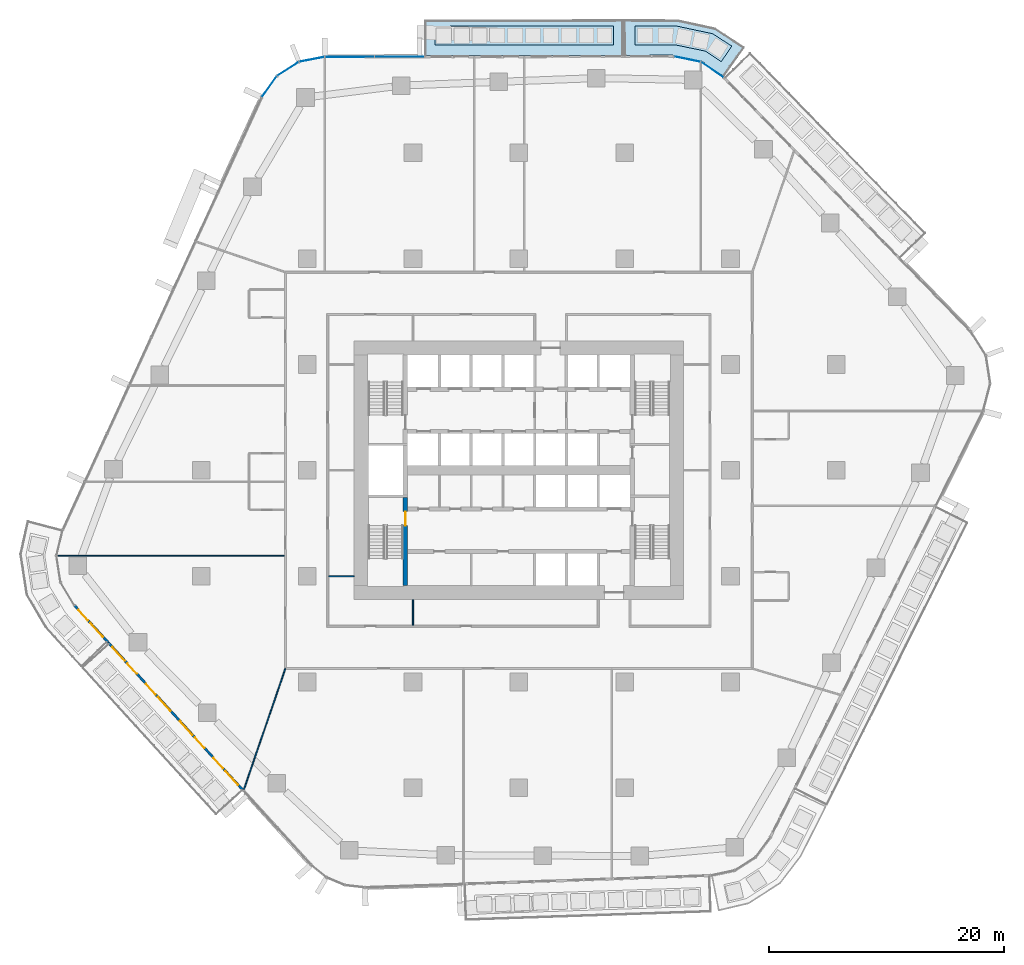
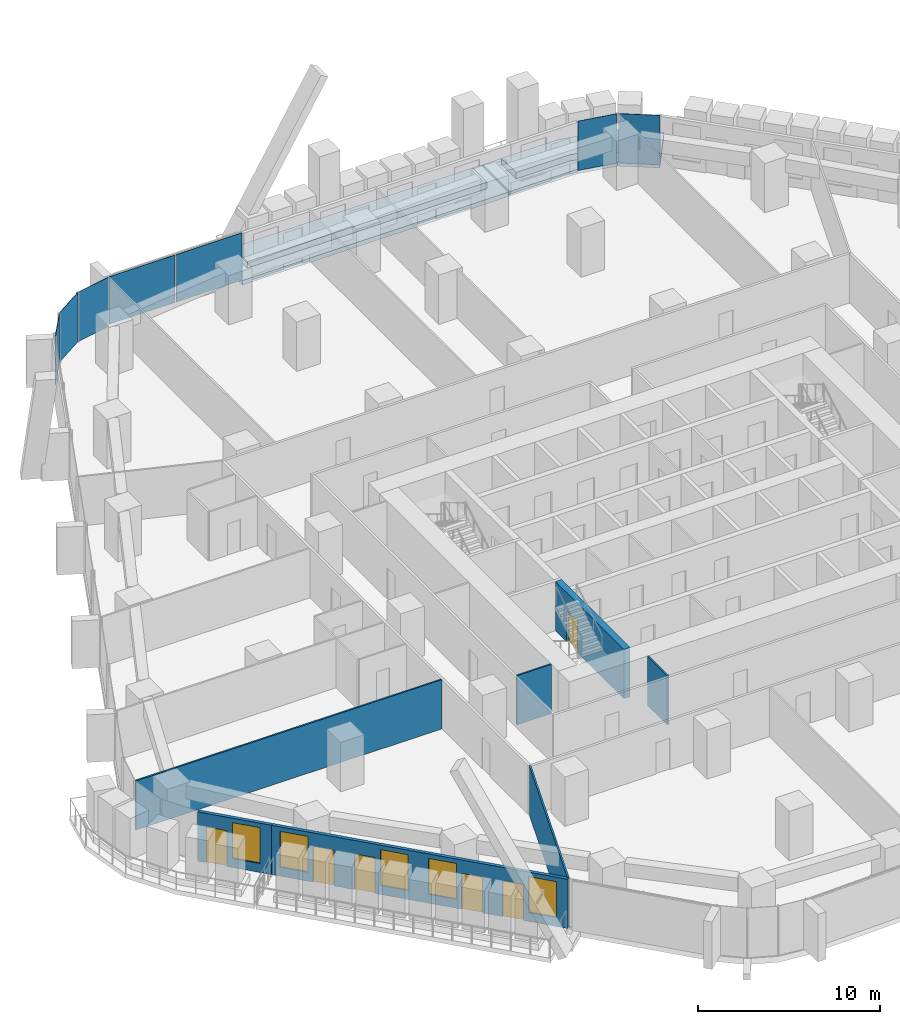
# One storey, part 12 of 26: 7 plates, 7 walls, 6 doors, 5 windows, 4 slabs, 11 openings, 3 elements without a shape of their own.
"""IFC4 building model written with IfcOpenShell, lengths in metres."""

from ifc_helpers import new_model, si_unit, direction, frame, frame_2d, origin, origin_2d, place, context, subcontext, project, spatial, polyline, rectangle, outline, extrude, material, layer, layer_set, type_object, element, fill, aggregate, save


model = new_model("IFC4")

# Units and contexts
model_context = context("Model", 3, precision=1e-05, world=origin(), true_north=direction((0.0, 1.0)))
body_context = subcontext(model_context, "Body", "Model", "MODEL_VIEW")
ifc_project = project(units=[si_unit("LENGTHUNIT", "METRE"), si_unit("AREAUNIT", "SQUARE_METRE"), si_unit("VOLUMEUNIT", "CUBIC_METRE"), si_unit("PLANEANGLEUNIT", "RADIAN"), si_unit("MASSUNIT", "GRAM", prefix="KILO")], contexts=[model_context])

# Site, building, storey
site_placement = place(None, origin())
site = spatial("IfcSite", under=ifc_project, at=site_placement, CompositionType="ELEMENT")
building_placement = place(site_placement, origin())
building = spatial("IfcBuilding", under=site, at=building_placement, Name="Dongbaek Canopy Tower", CompositionType="ELEMENT")
storey_placement = place(building_placement, frame((0.0, 0.0, 73.60009765625)))
storey = spatial("IfcBuildingStorey", under=building, at=storey_placement, Name="L14", CompositionType="ELEMENT", Elevation=73.60009765625)

# Slabs
ifc_material_1 = material(Name="Concrete C40/50", Category="concrete")
ifc_layer_1 = layer(ifc_material_1, 0.300048828125)
ifc_layer_set_1 = layer_set([ifc_layer_1], Name="Balcony slab 300")
slab_type_1 = type_object("IfcSlabType", Name="Balcony slab 300", PredefinedType="FLOOR", material=ifc_layer_set_1)
slab_1_placement = place(storey_placement, frame((0.0, 0.0, -0.300048828125)))
element("IfcSlab", 1, at=slab_1_placement, inside=storey, type_object=slab_type_1, Name="Balcony L14 2", PredefinedType="FLOOR", context=body_context, shape_type="SweptSolid", body=[
    extrude(outline(polyline([(8.88427734375, 35.28955078125), (-7.980224609375, 35.265380859375), (-7.984619140625, 38.265380859375), (8.8798828125, 38.28955078125), (8.88427734375, 35.28955078125)])), origin(), (0.0, 0.0, 1.0), 0.300048828125),
])
slab_2_placement = place(storey_placement, frame((0.0, 0.0, -0.300048828125)))
element("IfcSlab", 2, at=slab_2_placement, inside=storey, type_object=slab_type_1, Name="Balcony L14 6", PredefinedType="FLOOR", context=body_context, shape_type="SweptSolid", body=[
    extrude(outline(polyline([(17.44580078125, 33.50537109375), (15.515869140625, 34.823974609375), (13.17529296875, 35.295654296875), (8.984130859375, 35.289794921875), (8.97998046875, 38.289794921875), (13.470947265625, 38.28125), (16.681640625, 37.588134765625), (19.138427734375, 35.982177734375), (17.44580078125, 33.50537109375)])), origin(), (0.0, 0.0, 1.0), 0.300048828125),
])

# Curtain wall, plates
ifc_material_2 = material(Name="Aluminium 6063-T6 pale anodised", Category="aluminium")
ifc_layer_2 = layer(ifc_material_2, 0.199951171875)
ifc_layer_set_2 = layer_set([ifc_layer_2], Name="CW-1 unitised tower curtain wall")
curtain_wall_type = type_object("IfcCurtainWallType", Name="CW-1 unitised tower curtain wall", PredefinedType="NOTDEFINED", material=ifc_layer_set_2)
curtain_wall_1_placement = place(storey_placement, origin())
curtain_wall_1 = element("IfcCurtainWall", 3, at=curtain_wall_1_placement, inside=storey, type_object=curtain_wall_type, Name="CW-1 curtain wall K1.1", PredefinedType="NOTDEFINED")
ifc_material_3 = material(Name="Clear laminated glass", Category="glass")
ifc_layer_3 = layer(ifc_material_3, 0.028076171875)
ifc_layer_set_3 = layer_set([ifc_layer_3], Name="CW-1 glazed panel 28")
plate_type = type_object("IfcPlateType", Name="CW-1 glazed panel 28", PredefinedType="CURTAIN_PANEL", material=ifc_layer_set_3)
plate_1_placement = place(storey_placement, frame((16.44921875, 34.065185546875, 0.0), z_axis=(0.0, 0.0, 1.0), x_axis=(-0.825641209577, 0.564195527321, 0.0)))
plate_1 = element("IfcPlate", 4, at=plate_1_placement, type_object=plate_type, Name="CW-1 panel K1.1.1.1", PredefinedType="CURTAIN_PANEL", context=body_context, shape_type="SweptSolid", body=[
    extrude(rectangle(XDim=2.273193359375, YDim=0.028076171875, at=origin_2d()), origin(), (0.0, 0.0, 1.0), 3.300048828125),
])
plate_2_placement = place(storey_placement, frame((14.32080078125, 34.962890625, 0.0), z_axis=(0.0, 0.0, 1.0), x_axis=(-0.980291764832, 0.19755519685, 0.0)))
plate_2 = element("IfcPlate", 5, at=plate_2_placement, type_object=plate_type, Name="CW-1 panel K1.1.2.1", PredefinedType="CURTAIN_PANEL", context=body_context, shape_type="SweptSolid", body=[
    extrude(rectangle(XDim=2.273193359375, YDim=0.028076171875, at=origin_2d()), origin(), (0.0, 0.0, 1.0), 3.300048828125),
])
aggregate(curtain_wall_1, [plate_1, plate_2])

curtain_wall_2_placement = place(storey_placement, origin())
curtain_wall_2 = element("IfcCurtainWall", 6, at=curtain_wall_2_placement, inside=storey, type_object=curtain_wall_type, Name="CW-1 curtain wall F1.1", PredefinedType="NOTDEFINED")
plate_3_placement = place(storey_placement, frame((-10.150634765625, 35.162353515625, 0.1201171875), z_axis=(0.0, 0.0, 1.0), x_axis=(-0.999998971422, -0.00143427852, 0.0)))
plate_3 = element("IfcPlate", 7, at=plate_3_placement, type_object=plate_type, Name="CW-1 panel F1.1.1.1", PredefinedType="CURTAIN_PANEL", context=body_context, shape_type="SweptSolid", body=[
    extrude(rectangle(XDim=4.1572265625, YDim=0.028076171875, at=origin_2d()), origin(), (0.0, 0.0, 1.0), 3.179931640625),
])
plate_4_placement = place(storey_placement, frame((-14.386962890625, 35.15625, 0.1201171875), z_axis=(0.0, 0.0, 1.0), x_axis=(-0.999998971422, -0.00143427852, 0.0)))
plate_4 = element("IfcPlate", 8, at=plate_4_placement, type_object=plate_type, Name="CW-1 panel F1.1.2.1", PredefinedType="CURTAIN_PANEL", context=body_context, shape_type="SweptSolid", body=[
    extrude(rectangle(XDim=4.147705078125, YDim=0.028076171875, at=origin_2d()), origin(), (0.0, 0.0, 1.0), 3.179931640625),
])
aggregate(curtain_wall_2, [plate_3, plate_4])

curtain_wall_3_placement = place(storey_placement, origin())
curtain_wall_3 = element("IfcCurtainWall", 9, at=curtain_wall_3_placement, inside=storey, type_object=curtain_wall_type, Name="CW-1 curtain wall K2.1", PredefinedType="NOTDEFINED")
plate_5_placement = place(storey_placement, frame((-17.599365234375, 34.94091796875, 0.0), z_axis=(0.0, 0.0, 1.0), x_axis=(-0.981792795313, -0.189955013284, 0.0)))
plate_5 = element("IfcPlate", 10, at=plate_5_placement, type_object=plate_type, Name="CW-1 panel K2.1.1.1", PredefinedType="CURTAIN_PANEL", context=body_context, shape_type="SweptSolid", body=[
    extrude(rectangle(XDim=2.14990234375, YDim=0.028076171875, at=origin_2d()), origin(), (0.0, 0.0, 1.0), 3.300048828125),
])
plate_6_placement = place(storey_placement, frame((-19.632080078125, 34.128173828125, 0.0), z_axis=(0.0, 0.0, 1.0), x_axis=(-0.84164162905, -0.540036450853, 0.0)))
plate_6 = element("IfcPlate", 11, at=plate_6_placement, type_object=plate_type, Name="CW-1 panel K2.1.2.1", PredefinedType="CURTAIN_PANEL", context=body_context, shape_type="SweptSolid", body=[
    extrude(rectangle(XDim=2.14013671875, YDim=0.028076171875, at=origin_2d()), origin(), (0.0, 0.0, 1.0), 3.300048828125),
])
plate_7_placement = place(storey_placement, frame((-21.2177734375, 32.619384765625, 0.0), z_axis=(0.0, 0.0, 1.0), x_axis=(-0.581809559836, -0.813325049463, 0.0)))
plate_7 = element("IfcPlate", 12, at=plate_7_placement, type_object=plate_type, Name="CW-1 panel K2.1.3.1", PredefinedType="CURTAIN_PANEL", context=body_context, shape_type="SweptSolid", body=[
    extrude(rectangle(XDim=2.14990234375, YDim=0.028076171875, at=origin_2d()), origin(), (0.0, 0.0, 1.0), 3.300048828125),
])
aggregate(curtain_wall_3, [plate_5, plate_6, plate_7])

# Slabs
ifc_material_4 = material(Name="Reinforced concrete C40/50 planter box with soil", Category="concrete")
ifc_layer_4 = layer(ifc_material_4, 0.419921875)
ifc_layer_set_4 = layer_set([ifc_layer_4], Name="Terrace planter box 1600 x 420")
slab_type_2 = type_object("IfcSlabType", Name="Terrace planter box 1600 x 420", PredefinedType="USERDEFINED", material=ifc_layer_set_4)
slab_3_placement = place(storey_placement, origin())
element("IfcSlab", 13, at=slab_3_placement, inside=storey, type_object=slab_type_2, Name="Balcony planter L14 2", ObjectType="PLANTER", PredefinedType="USERDEFINED", context=body_context, shape_type="SweptSolid", body=[
    extrude(outline(polyline([(8.032958984375, 36.178466796875), (-7.131591796875, 36.15673828125), (-7.1337890625, 37.756591796875), (8.03076171875, 37.7783203125), (8.032958984375, 36.178466796875)])), origin(), (0.0, 0.0, 1.0), 0.419921875),
])
slab_4_placement = place(storey_placement, origin())
element("IfcSlab", 14, at=slab_4_placement, inside=storey, type_object=slab_type_2, Name="Balcony planter L14 6", ObjectType="PLANTER", PredefinedType="USERDEFINED", context=body_context, shape_type="SweptSolid", body=[
    extrude(outline(polyline([(17.204833984375, 34.747802734375), (15.86181640625, 35.64404296875), (13.262939453125, 36.181396484375), (9.883056640625, 36.18115234375), (9.880615234375, 37.781005859375), (13.420654296875, 37.773681640625), (16.483642578125, 37.118408203125), (18.107666015625, 36.06884765625), (17.204833984375, 34.747802734375)])), origin(), (0.0, 0.0, 1.0), 0.419921875),
])

# Walls
ifc_material_5 = material(Name="Gypsum board partition, steel stud, 2 x 12.5 mm board", Category="steel")
ifc_layer_5 = layer(ifc_material_5, 0.10009765625)
ifc_layer_set_5 = layer_set([ifc_layer_5], Name="Partition 100 gypsum board")
wall_type_1 = type_object("IfcWallType", Name="Partition 100 gypsum board", PredefinedType="PARTITIONING", material=ifc_layer_set_5)
wall_1_placement = place(storey_placement, frame((-16.175048828125, -9.0, 0.0), z_axis=(0.0, 0.0, 1.0), x_axis=(1.0, 0.0, 0.0)))
element("IfcWall", 15, at=wall_1_placement, inside=storey, type_object=wall_type_1, Name="Partition", PredefinedType="PARTITIONING", context=body_context, shape_type="SweptSolid", body=[
    extrude(rectangle(XDim=2.175048828125, YDim=0.10009765625, at=frame_2d((1.08740234375, 0.0))), origin(), (0.0, 0.0, 1.0), 3.2998046875),
])
wall_2_placement = place(storey_placement, frame((-39.29345703125, -7.26904296875, 0.0), z_axis=(0.0, 0.0, 1.0), x_axis=(1.0, 0.0, 0.0)))
element("IfcWall", 16, at=wall_2_placement, inside=storey, type_object=wall_type_1, Name="Partition", PredefinedType="PARTITIONING", context=body_context, shape_type="SweptSolid", body=[
    extrude(rectangle(XDim=19.368408203125, YDim=0.10009765625, at=frame_2d((9.68408203125, 0.0))), origin(), (0.0, 0.0, 1.0), 3.2998046875),
])
wall_3_placement = place(storey_placement, frame((-23.40380859375, -27.212646484375, 0.0), z_axis=(0.0, 0.0, 1.0), x_axis=(0.32441263541, 0.945915663253, 0.0)))
element("IfcWall", 17, at=wall_3_placement, inside=storey, type_object=wall_type_1, Name="Partition", PredefinedType="PARTITIONING", context=body_context, shape_type="SweptSolid", body=[
    extrude(rectangle(XDim=10.955078125, YDim=0.10009765625, at=frame_2d((5.4775390625, 0.0))), origin(), (0.0, 0.0, 1.0), 3.2998046875),
])
wall_4_placement = place(storey_placement, frame((-9.0, -13.175048828125, 0.0), z_axis=(0.0, 0.0, 1.0), x_axis=(0.0, 1.0, 0.0)))
element("IfcWall", 18, at=wall_4_placement, inside=storey, type_object=wall_type_1, Name="Partition", PredefinedType="PARTITIONING", context=body_context, shape_type="SweptSolid", body=[
    extrude(rectangle(XDim=2.175048828125, YDim=0.10009765625, at=frame_2d((1.08740234375, 0.0))), origin(), (0.0, 0.0, 1.0), 3.2998046875),
])

# Wall, opening, door
ifc_material_6 = material(Name="Concrete C60/75", Category="concrete")
ifc_layer_6 = layer(ifc_material_6, 0.39990234375)
ifc_layer_set_6 = layer_set([ifc_layer_6], Name="Stair wall 400 Concrete C60/75")
wall_type_2 = type_object("IfcWallType", Name="Stair wall 400 Concrete C60/75", PredefinedType="SHEAR", material=ifc_layer_set_6)
wall_5_placement = place(storey_placement, frame((-9.64990234375, -9.800048828125, 0.0), z_axis=(0.0, 0.0, 1.0), x_axis=(0.0, 1.0, 0.0)))
wall_5 = element("IfcWall", 19, at=wall_5_placement, inside=storey, type_object=wall_type_2, Name="Stair wall", PredefinedType="SHEAR", context=body_context, shape_type="SweptSolid", body=[
    extrude(rectangle(XDim=7.5, YDim=0.39990234375, at=frame_2d((3.75, 0.0))), origin(), (0.0, 0.0, 1.0), 3.2998046875),
])
opening_1_placement = place(wall_5_placement, frame((5.10009765625, 0.0, 0.0)))
opening_1 = element("IfcOpeningElement", 20, at=opening_1_placement, cuts=wall_5, Name="Opening L14-D055", PredefinedType="OPENING", context=body_context, shape_type="SweptSolid", body=[
    extrude(rectangle(XDim=1.199951171875, YDim=2.10009765625, at=frame_2d((0.60009765625, 1.050048828125))), frame((0.0, 0.2099609375, 0.0), z_axis=(0.0, -1.0, 0.0), x_axis=(1.0, 0.0, 0.0)), (0.0, 0.0, 1.0), 0.419921875),
])
ifc_material_7 = material(Name="Steel", Category="steel")
door_type_1 = type_object("IfcDoorType", Name="Stair door 1200 x 2100", OperationType="SINGLE_SWING_LEFT", PredefinedType="DOOR", material=ifc_material_7)
door_1_placement = place(opening_1_placement, origin())
door_1 = element("IfcDoor", 21, at=door_1_placement, inside=storey, type_object=door_type_1, Name="Stair D door", OperationType="SINGLE_SWING_LEFT", OverallHeight=2.10009765625, OverallWidth=1.199951171875, PredefinedType="DOOR", context=body_context, shape_type="SweptSolid", body=[
    extrude(rectangle(XDim=1.199951171875, YDim=2.10009765625, at=frame_2d((0.60009765625, 1.050048828125))), frame((0.0, 0.02490234375, 0.0), z_axis=(0.0, -1.0, 0.0), x_axis=(1.0, 0.0, 0.0)), (0.0, 0.0, 1.0), 0.050048828125),
])
fill(opening_1, door_1)

# Wall, openings, doors, windows
ifc_material_8 = material(Name="Aluminium window wall", Category="aluminium")
ifc_layer_7 = layer(ifc_material_8, 0.199951171875)
ifc_layer_set_7 = layer_set([ifc_layer_7], Name="Window wall 200")
wall_type_3 = type_object("IfcWallType", Name="Window wall 200", PredefinedType="SOLIDWALL", material=ifc_layer_set_7)
wall_6_placement = place(storey_placement, frame((-34.90576171875, -14.636474609375, 0.0), z_axis=(0.0, 0.0, 1.0), x_axis=(0.674011334321, -0.738721003632, 0.0)))
wall_6 = element("IfcWall", 22, at=wall_6_placement, inside=storey, type_object=wall_type_3, Name="Window wall L14 3", PredefinedType="SOLIDWALL", context=body_context, shape_type="SweptSolid", body=[
    extrude(rectangle(XDim=17.05322265625, YDim=0.199951171875, at=frame_2d((8.526611328125, 0.0))), origin(), (0.0, 0.0, 1.0), 3.2998046875),
])
opening_2_placement = place(wall_6_placement, frame((0.5, 0.0, 0.60009765625)))
opening_2 = element("IfcOpeningElement", 23, at=opening_2_placement, cuts=wall_6, Name="Opening W1", PredefinedType="OPENING", context=body_context, shape_type="SweptSolid", body=[
    extrude(rectangle(XDim=1.60009765625, YDim=2.39990234375, at=frame_2d((0.800048828125, 1.199951171875))), frame((0.0, 0.10986328125, 0.0), z_axis=(0.0, -1.0, 0.0), x_axis=(1.0, 0.0, 0.0)), (0.0, 0.0, 1.0), 0.219970703125),
])
opening_3_placement = place(wall_6_placement, frame((2.39990234375, 0.0, 0.0)))
opening_3 = element("IfcOpeningElement", 24, at=opening_3_placement, cuts=wall_6, Name="Opening L14-B11", PredefinedType="OPENING", context=body_context, shape_type="SweptSolid", body=[
    extrude(rectangle(XDim=1.199951171875, YDim=2.39990234375, at=frame_2d((0.60009765625, 1.199951171875))), frame((0.0, 0.10986328125, 0.0), z_axis=(0.0, -1.0, 0.0), x_axis=(1.0, 0.0, 0.0)), (0.0, 0.0, 1.0), 0.219970703125),
])
opening_4_placement = place(wall_6_placement, frame((6.263427734375, 0.0, 0.60009765625)))
opening_4 = element("IfcOpeningElement", 25, at=opening_4_placement, cuts=wall_6, Name="Opening W1", PredefinedType="OPENING", context=body_context, shape_type="SweptSolid", body=[
    extrude(rectangle(XDim=1.60009765625, YDim=2.39990234375, at=frame_2d((0.800048828125, 1.199951171875))), frame((0.0, 0.10986328125, 0.0), z_axis=(0.0, -1.0, 0.0), x_axis=(1.0, 0.0, 0.0)), (0.0, 0.0, 1.0), 0.219970703125),
])
opening_5_placement = place(wall_6_placement, frame((4.763427734375, 0.0, 0.0)))
opening_5 = element("IfcOpeningElement", 26, at=opening_5_placement, cuts=wall_6, Name="Opening L14-B12", PredefinedType="OPENING", context=body_context, shape_type="SweptSolid", body=[
    extrude(rectangle(XDim=1.199951171875, YDim=2.39990234375, at=frame_2d((0.60009765625, 1.199951171875))), frame((0.0, 0.10986328125, 0.0), z_axis=(0.0, -1.0, 0.0), x_axis=(1.0, 0.0, 0.0)), (0.0, 0.0, 1.0), 0.219970703125),
])
opening_6_placement = place(wall_6_placement, frame((9.02685546875, 0.0, 0.60009765625)))
opening_6 = element("IfcOpeningElement", 27, at=opening_6_placement, cuts=wall_6, Name="Opening W1", PredefinedType="OPENING", context=body_context, shape_type="SweptSolid", body=[
    extrude(rectangle(XDim=1.60009765625, YDim=2.39990234375, at=frame_2d((0.800048828125, 1.199951171875))), frame((0.0, 0.10986328125, 0.0), z_axis=(0.0, -1.0, 0.0), x_axis=(1.0, 0.0, 0.0)), (0.0, 0.0, 1.0), 0.219970703125),
])
opening_7_placement = place(wall_6_placement, frame((10.9267578125, 0.0, 0.0)))
opening_7 = element("IfcOpeningElement", 28, at=opening_7_placement, cuts=wall_6, Name="Opening L14-B13", PredefinedType="OPENING", context=body_context, shape_type="SweptSolid", body=[
    extrude(rectangle(XDim=1.199951171875, YDim=2.39990234375, at=frame_2d((0.60009765625, 1.199951171875))), frame((0.0, 0.10986328125, 0.0), z_axis=(0.0, -1.0, 0.0), x_axis=(1.0, 0.0, 0.0)), (0.0, 0.0, 1.0), 0.219970703125),
])
opening_8_placement = place(wall_6_placement, frame((14.7900390625, 0.0, 0.60009765625)))
opening_8 = element("IfcOpeningElement", 29, at=opening_8_placement, cuts=wall_6, Name="Opening W1", PredefinedType="OPENING", context=body_context, shape_type="SweptSolid", body=[
    extrude(rectangle(XDim=1.60009765625, YDim=2.39990234375, at=frame_2d((0.800048828125, 1.199951171875))), frame((0.0, 0.10986328125, 0.0), z_axis=(0.0, -1.0, 0.0), x_axis=(1.0, 0.0, 0.0)), (0.0, 0.0, 1.0), 0.219970703125),
])
opening_9_placement = place(wall_6_placement, frame((13.2900390625, 0.0, 0.0)))
opening_9 = element("IfcOpeningElement", 30, at=opening_9_placement, cuts=wall_6, Name="Opening L14-B14", PredefinedType="OPENING", context=body_context, shape_type="SweptSolid", body=[
    extrude(rectangle(XDim=1.199951171875, YDim=2.39990234375, at=frame_2d((0.60009765625, 1.199951171875))), frame((0.0, 0.10986328125, 0.0), z_axis=(0.0, -1.0, 0.0), x_axis=(1.0, 0.0, 0.0)), (0.0, 0.0, 1.0), 0.219970703125),
])
ifc_material_9 = material(Name="Clear glazing in aluminium frame", Category="aluminium")
door_type_2 = type_object("IfcDoorType", Name="Balcony door BD1 1200 x 2400", OperationType="SLIDING_TO_LEFT", PredefinedType="DOOR", material=ifc_material_9)
door_2_placement = place(opening_3_placement, origin())
door_2 = element("IfcDoor", 31, at=door_2_placement, inside=storey, type_object=door_type_2, Name="Balcony door L14-B11", OperationType="SLIDING_TO_LEFT", OverallHeight=2.39990234375, OverallWidth=1.199951171875, PredefinedType="DOOR", context=body_context, shape_type="SweptSolid", body=[
    extrude(rectangle(XDim=1.199951171875, YDim=2.39990234375, at=frame_2d((0.60009765625, 1.199951171875))), frame((0.0, 0.02490234375, 0.0), z_axis=(0.0, -1.0, 0.0), x_axis=(1.0, 0.0, 0.0)), (0.0, 0.0, 1.0), 0.050048828125),
])
fill(opening_3, door_2)
door_3_placement = place(opening_5_placement, origin())
door_3 = element("IfcDoor", 32, at=door_3_placement, inside=storey, type_object=door_type_2, Name="Balcony door L14-B12", OperationType="SLIDING_TO_LEFT", OverallHeight=2.39990234375, OverallWidth=1.199951171875, PredefinedType="DOOR", context=body_context, shape_type="SweptSolid", body=[
    extrude(rectangle(XDim=1.199951171875, YDim=2.39990234375, at=frame_2d((0.60009765625, 1.199951171875))), frame((0.0, 0.02490234375, 0.0), z_axis=(0.0, -1.0, 0.0), x_axis=(1.0, 0.0, 0.0)), (0.0, 0.0, 1.0), 0.050048828125),
])
fill(opening_5, door_3)
door_4_placement = place(opening_7_placement, origin())
door_4 = element("IfcDoor", 33, at=door_4_placement, inside=storey, type_object=door_type_2, Name="Balcony door L14-B13", OperationType="SLIDING_TO_LEFT", OverallHeight=2.39990234375, OverallWidth=1.199951171875, PredefinedType="DOOR", context=body_context, shape_type="SweptSolid", body=[
    extrude(rectangle(XDim=1.199951171875, YDim=2.39990234375, at=frame_2d((0.60009765625, 1.199951171875))), frame((0.0, 0.02490234375, 0.0), z_axis=(0.0, -1.0, 0.0), x_axis=(1.0, 0.0, 0.0)), (0.0, 0.0, 1.0), 0.050048828125),
])
fill(opening_7, door_4)
door_5_placement = place(opening_9_placement, origin())
door_5 = element("IfcDoor", 34, at=door_5_placement, inside=storey, type_object=door_type_2, Name="Balcony door L14-B14", OperationType="SLIDING_TO_LEFT", OverallHeight=2.39990234375, OverallWidth=1.199951171875, PredefinedType="DOOR", context=body_context, shape_type="SweptSolid", body=[
    extrude(rectangle(XDim=1.199951171875, YDim=2.39990234375, at=frame_2d((0.60009765625, 1.199951171875))), frame((0.0, 0.02490234375, 0.0), z_axis=(0.0, -1.0, 0.0), x_axis=(1.0, 0.0, 0.0)), (0.0, 0.0, 1.0), 0.050048828125),
])
fill(opening_9, door_5)
ifc_material_10 = material(Name="Clear glazing in aluminium frame", Category="aluminium")
window_type = type_object("IfcWindowType", Name="Window W1 1600 x 2400", PartitioningType="SINGLE_PANEL", PredefinedType="WINDOW", material=ifc_material_10)
window_1_placement = place(opening_2_placement, origin())
window_1 = element("IfcWindow", 35, at=window_1_placement, inside=storey, type_object=window_type, Name="Window L14 3.1", OverallHeight=2.39990234375, OverallWidth=1.60009765625, PartitioningType="SINGLE_PANEL", PredefinedType="WINDOW", context=body_context, shape_type="SweptSolid", body=[
    extrude(rectangle(XDim=1.60009765625, YDim=2.39990234375, at=frame_2d((0.800048828125, 1.199951171875))), frame((0.0, 0.030029296875, 0.0), z_axis=(0.0, -1.0, 0.0), x_axis=(1.0, 0.0, 0.0)), (0.0, 0.0, 1.0), 0.06005859375),
])
fill(opening_2, window_1)
window_2_placement = place(opening_4_placement, origin())
window_2 = element("IfcWindow", 36, at=window_2_placement, inside=storey, type_object=window_type, Name="Window L14 3.2", OverallHeight=2.39990234375, OverallWidth=1.60009765625, PartitioningType="SINGLE_PANEL", PredefinedType="WINDOW", context=body_context, shape_type="SweptSolid", body=[
    extrude(rectangle(XDim=1.60009765625, YDim=2.39990234375, at=frame_2d((0.800048828125, 1.199951171875))), frame((0.0, 0.030029296875, 0.0), z_axis=(0.0, -1.0, 0.0), x_axis=(1.0, 0.0, 0.0)), (0.0, 0.0, 1.0), 0.06005859375),
])
fill(opening_4, window_2)
window_3_placement = place(opening_6_placement, origin())
window_3 = element("IfcWindow", 37, at=window_3_placement, inside=storey, type_object=window_type, Name="Window L14 3.3", OverallHeight=2.39990234375, OverallWidth=1.60009765625, PartitioningType="SINGLE_PANEL", PredefinedType="WINDOW", context=body_context, shape_type="SweptSolid", body=[
    extrude(rectangle(XDim=1.60009765625, YDim=2.39990234375, at=frame_2d((0.800048828125, 1.199951171875))), frame((0.0, 0.030029296875, 0.0), z_axis=(0.0, -1.0, 0.0), x_axis=(1.0, 0.0, 0.0)), (0.0, 0.0, 1.0), 0.06005859375),
])
fill(opening_6, window_3)
window_4_placement = place(opening_8_placement, origin())
window_4 = element("IfcWindow", 38, at=window_4_placement, inside=storey, type_object=window_type, Name="Window L14 3.4", OverallHeight=2.39990234375, OverallWidth=1.60009765625, PartitioningType="SINGLE_PANEL", PredefinedType="WINDOW", context=body_context, shape_type="SweptSolid", body=[
    extrude(rectangle(XDim=1.60009765625, YDim=2.39990234375, at=frame_2d((0.800048828125, 1.199951171875))), frame((0.0, 0.030029296875, 0.0), z_axis=(0.0, -1.0, 0.0), x_axis=(1.0, 0.0, 0.0)), (0.0, 0.0, 1.0), 0.06005859375),
])
fill(opening_8, window_4)

# Wall, openings, door, window
wall_7_placement = place(storey_placement, frame((-37.772705078125, -11.494140625, 0.0), z_axis=(0.0, 0.0, 1.0), x_axis=(0.673994410995, -0.738736444172, 0.0)))
wall_7 = element("IfcWall", 39, at=wall_7_placement, inside=storey, type_object=wall_type_3, Name="Window wall L14 7", PredefinedType="SOLIDWALL", context=body_context, shape_type="SweptSolid", body=[
    extrude(rectangle(XDim=4.253662109375, YDim=0.199951171875, at=frame_2d((2.126953125, 0.0))), origin(), (0.0, 0.0, 1.0), 3.2998046875),
])
opening_10_placement = place(wall_7_placement, frame((2.0, 0.0, 0.60009765625)))
opening_10 = element("IfcOpeningElement", 40, at=opening_10_placement, cuts=wall_7, Name="Opening W1", PredefinedType="OPENING", context=body_context, shape_type="SweptSolid", body=[
    extrude(rectangle(XDim=1.60009765625, YDim=2.39990234375, at=frame_2d((0.800048828125, 1.199951171875))), frame((0.0, 0.10986328125, 0.0), z_axis=(0.0, -1.0, 0.0), x_axis=(1.0, 0.0, 0.0)), (0.0, 0.0, 1.0), 0.219970703125),
])
opening_11_placement = place(wall_7_placement, frame((0.5, 0.0, 0.0)))
opening_11 = element("IfcOpeningElement", 41, at=opening_11_placement, cuts=wall_7, Name="Opening L14-B15", PredefinedType="OPENING", context=body_context, shape_type="SweptSolid", body=[
    extrude(rectangle(XDim=1.199951171875, YDim=2.39990234375, at=frame_2d((0.60009765625, 1.199951171875))), frame((0.0, 0.10986328125, 0.0), z_axis=(0.0, -1.0, 0.0), x_axis=(1.0, 0.0, 0.0)), (0.0, 0.0, 1.0), 0.219970703125),
])
door_6_placement = place(opening_11_placement, origin())
door_6 = element("IfcDoor", 42, at=door_6_placement, inside=storey, type_object=door_type_2, Name="Balcony door L14-B15", OperationType="SLIDING_TO_LEFT", OverallHeight=2.39990234375, OverallWidth=1.199951171875, PredefinedType="DOOR", context=body_context, shape_type="SweptSolid", body=[
    extrude(rectangle(XDim=1.199951171875, YDim=2.39990234375, at=frame_2d((0.60009765625, 1.199951171875))), frame((0.0, 0.02490234375, 0.0), z_axis=(0.0, -1.0, 0.0), x_axis=(1.0, 0.0, 0.0)), (0.0, 0.0, 1.0), 0.050048828125),
])
fill(opening_11, door_6)
window_5_placement = place(opening_10_placement, origin())
window_5 = element("IfcWindow", 43, at=window_5_placement, inside=storey, type_object=window_type, Name="Window L14 7.1", OverallHeight=2.39990234375, OverallWidth=1.60009765625, PartitioningType="SINGLE_PANEL", PredefinedType="WINDOW", context=body_context, shape_type="SweptSolid", body=[
    extrude(rectangle(XDim=1.60009765625, YDim=2.39990234375, at=frame_2d((0.800048828125, 1.199951171875))), frame((0.0, 0.030029296875, 0.0), z_axis=(0.0, -1.0, 0.0), x_axis=(1.0, 0.0, 0.0)), (0.0, 0.0, 1.0), 0.06005859375),
])
fill(opening_10, window_5)

save(model, "model.ifc")
